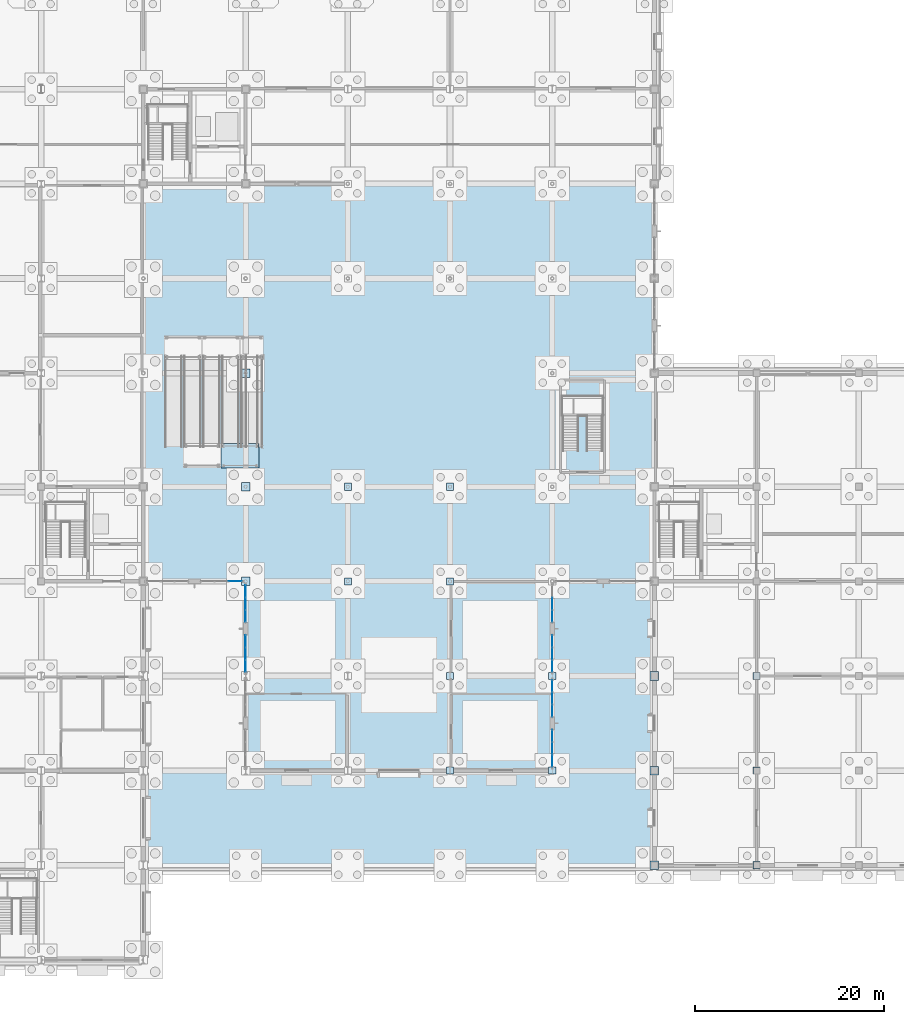
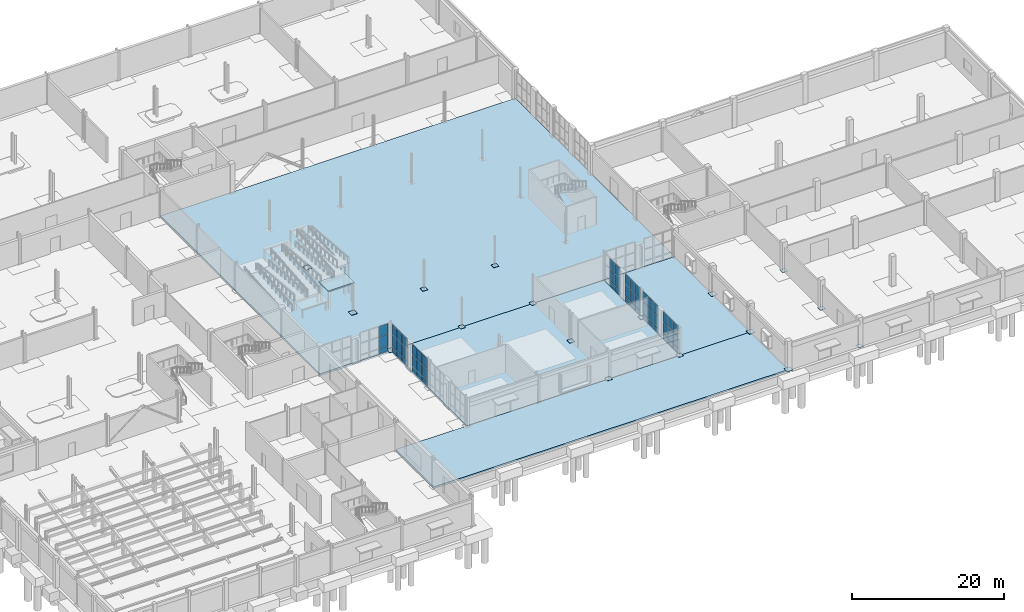
# One storey, part 41 of 73: 71 plates, 5 slabs, 8 elements without a shape of their own.
"""IFC4 building model written with IfcOpenShell, lengths in metres."""

from ifc_helpers import new_model, si_unit, direction, frame, origin, origin_2d, place, context, subcontext, project, spatial, polyline, rectangle, outline, extrude, material, layer, layer_set, type_object, element, aggregate, save


model = new_model("IFC4")

# Units and contexts
model_context = context("Model", 3, precision=1e-05, world=origin(), true_north=direction((0.0, 1.0)))
body_context = subcontext(model_context, "Body", "Model", "MODEL_VIEW")
ifc_project = project(units=[si_unit("LENGTHUNIT", "METRE"), si_unit("AREAUNIT", "SQUARE_METRE"), si_unit("VOLUMEUNIT", "CUBIC_METRE"), si_unit("PLANEANGLEUNIT", "RADIAN"), si_unit("MASSUNIT", "GRAM", prefix="KILO")], contexts=[model_context])

# Site, building, storey
site_placement = place(None, origin())
site = spatial("IfcSite", under=ifc_project, at=site_placement, CompositionType="ELEMENT")
building_placement = place(site_placement, origin())
building = spatial("IfcBuilding", under=site, at=building_placement, Name="Tasgan Crest Museum", CompositionType="ELEMENT")
storey_placement = place(building_placement, origin())
storey = spatial("IfcBuildingStorey", under=building, at=storey_placement, Name="L00", CompositionType="ELEMENT", Elevation=0.0)

# Curtain wall, plate
ifc_material_1 = material(Name="Triple-Glazed Aluminium Curtain Wall", Category="aluminium")
ifc_layer_1 = layer(ifc_material_1, 0.179931640625, Name="CW-DRUM-X-48")
ifc_layer_set_1 = layer_set([ifc_layer_1], Name="Triple-Glazed Aluminium Curtain Wall")
curtain_wall_type_1 = type_object("IfcCurtainWallType", Name="CW-DRUM-X-48", PredefinedType="NOTDEFINED", material=ifc_layer_set_1)
curtain_wall_1_placement = place(storey_placement, origin())
curtain_wall_1 = element("IfcCurtainWall", 1, at=curtain_wall_1_placement, inside=storey, type_object=curtain_wall_type_1, Name="Curtain wall L00 002", PredefinedType="NOTDEFINED")
ifc_material_2 = material(Name="Insulated Spandrel Glass", Category="glass")
ifc_layer_2 = layer(ifc_material_2, 0.052001953125, Name="CW-PANEL-SPANDREL")
ifc_layer_set_2 = layer_set([ifc_layer_2], Name="Insulated Spandrel Glass")
plate_type_1 = type_object("IfcPlateType", Name="CW-PANEL-SPANDREL", PredefinedType="CURTAIN_PANEL", material=ifc_layer_set_2)
plate_1_placement = place(storey_placement, frame((63.688232421875, 40.0, 0.06005859375), z_axis=(0.0, 0.0, 1.0), x_axis=(1.0, 0.0, 0.0)))
plate_1 = element("IfcPlate", 2, at=plate_1_placement, type_object=plate_type_1, Name="CW03 panel 3.1", PredefinedType="CURTAIN_PANEL", context=body_context, shape_type="SweptSolid", body=[
    extrude(rectangle(XDim=1.373291015625, YDim=0.028076171875, at=origin_2d()), origin(), (0.0, 0.0, 1.0), 0.81005859375),
])

# Curtain wall, plates
ifc_material_3 = material(Name="Triple-Glazed Aluminium Curtain Wall", Category="aluminium")
ifc_layer_3 = layer(ifc_material_3, 0.179931640625, Name="CW-PORCH-Y")
ifc_layer_set_3 = layer_set([ifc_layer_3], Name="Triple-Glazed Aluminium Curtain Wall")
curtain_wall_type_2 = type_object("IfcCurtainWallType", Name="CW-PORCH-Y", PredefinedType="NOTDEFINED", material=ifc_layer_set_3)
curtain_wall_2_placement = place(storey_placement, origin())
curtain_wall_2 = element("IfcCurtainWall", 3, at=curtain_wall_2_placement, inside=storey, type_object=curtain_wall_type_2, Name="Curtain wall L00 003", PredefinedType="NOTDEFINED")
plate_2_placement = place(storey_placement, frame((64.800048828125, 38.955078125, 0.06005859375), z_axis=(0.0, 0.0, 1.0), x_axis=(0.0, -1.0, 0.0)))
plate_2 = element("IfcPlate", 4, at=plate_2_placement, type_object=plate_type_1, Name="CW02 panel 1.1", PredefinedType="CURTAIN_PANEL", context=body_context, shape_type="SweptSolid", body=[
    extrude(rectangle(XDim=1.239990234375, YDim=0.028076171875, at=origin_2d()), origin(), (0.0, 0.0, 1.0), 0.81005859375),
])
plate_3_placement = place(storey_placement, frame((64.800048828125, 37.639892578125, 0.06005859375), z_axis=(0.0, 0.0, 1.0), x_axis=(0.0, -1.0, 0.0)))
plate_3 = element("IfcPlate", 5, at=plate_3_placement, type_object=plate_type_1, Name="CW02 panel 2.1", PredefinedType="CURTAIN_PANEL", context=body_context, shape_type="SweptSolid", body=[
    extrude(rectangle(XDim=1.27001953125, YDim=0.028076171875, at=origin_2d()), origin(), (0.0, 0.0, 1.0), 0.81005859375),
])
plate_4_placement = place(storey_placement, frame((64.800048828125, 36.324951171875, 0.06005859375), z_axis=(0.0, 0.0, 1.0), x_axis=(0.0, -1.0, 0.0)))
plate_4 = element("IfcPlate", 6, at=plate_4_placement, type_object=plate_type_1, Name="CW02 panel 3.1", PredefinedType="CURTAIN_PANEL", context=body_context, shape_type="SweptSolid", body=[
    extrude(rectangle(XDim=1.239990234375, YDim=0.028076171875, at=origin_2d()), origin(), (0.0, 0.0, 1.0), 0.81005859375),
])

curtain_wall_3_placement = place(storey_placement, origin())
curtain_wall_3 = element("IfcCurtainWall", 7, at=curtain_wall_3_placement, inside=storey, type_object=curtain_wall_type_2, Name="Curtain wall L00 004", PredefinedType="NOTDEFINED")
plate_5_placement = place(storey_placement, frame((64.800048828125, 33.675048828125, 0.06005859375), z_axis=(0.0, 0.0, 1.0), x_axis=(0.0, -1.0, 0.0)))
plate_5 = element("IfcPlate", 8, at=plate_5_placement, type_object=plate_type_1, Name="CW02 panel 1.1", PredefinedType="CURTAIN_PANEL", context=body_context, shape_type="SweptSolid", body=[
    extrude(rectangle(XDim=1.239990234375, YDim=0.028076171875, at=origin_2d()), origin(), (0.0, 0.0, 1.0), 0.81005859375),
])
plate_6_placement = place(storey_placement, frame((64.800048828125, 32.360107421875, 0.06005859375), z_axis=(0.0, 0.0, 1.0), x_axis=(0.0, -1.0, 0.0)))
plate_6 = element("IfcPlate", 9, at=plate_6_placement, type_object=plate_type_1, Name="CW02 panel 2.1", PredefinedType="CURTAIN_PANEL", context=body_context, shape_type="SweptSolid", body=[
    extrude(rectangle(XDim=1.27001953125, YDim=0.028076171875, at=origin_2d()), origin(), (0.0, 0.0, 1.0), 0.81005859375),
])
plate_7_placement = place(storey_placement, frame((64.800048828125, 31.044921875, 0.06005859375), z_axis=(0.0, 0.0, 1.0), x_axis=(0.0, -1.0, 0.0)))
plate_7 = element("IfcPlate", 10, at=plate_7_placement, type_object=plate_type_1, Name="CW02 panel 3.1", PredefinedType="CURTAIN_PANEL", context=body_context, shape_type="SweptSolid", body=[
    extrude(rectangle(XDim=1.239990234375, YDim=0.028076171875, at=origin_2d()), origin(), (0.0, 0.0, 1.0), 0.81005859375),
])

curtain_wall_4_placement = place(storey_placement, origin())
curtain_wall_4 = element("IfcCurtainWall", 11, at=curtain_wall_4_placement, inside=storey, type_object=curtain_wall_type_2, Name="Curtain wall L00 007", PredefinedType="NOTDEFINED")
plate_8_placement = place(storey_placement, frame((97.199951171875, 21.044921875, 0.06005859375), z_axis=(0.0, 0.0, 1.0), x_axis=(0.0, 1.0, 0.0)))
plate_8 = element("IfcPlate", 12, at=plate_8_placement, type_object=plate_type_1, Name="CW02 panel 1.1", PredefinedType="CURTAIN_PANEL", context=body_context, shape_type="SweptSolid", body=[
    extrude(rectangle(XDim=1.239990234375, YDim=0.028076171875, at=origin_2d()), origin(), (0.0, 0.0, 1.0), 0.81005859375),
])
plate_9_placement = place(storey_placement, frame((97.199951171875, 22.360107421875, 0.06005859375), z_axis=(0.0, 0.0, 1.0), x_axis=(0.0, 1.0, 0.0)))
plate_9 = element("IfcPlate", 13, at=plate_9_placement, type_object=plate_type_1, Name="CW02 panel 2.1", PredefinedType="CURTAIN_PANEL", context=body_context, shape_type="SweptSolid", body=[
    extrude(rectangle(XDim=1.27001953125, YDim=0.028076171875, at=origin_2d()), origin(), (0.0, 0.0, 1.0), 0.81005859375),
])
plate_10_placement = place(storey_placement, frame((97.199951171875, 23.675048828125, 0.06005859375), z_axis=(0.0, 0.0, 1.0), x_axis=(0.0, 1.0, 0.0)))
plate_10 = element("IfcPlate", 14, at=plate_10_placement, type_object=plate_type_1, Name="CW02 panel 3.1", PredefinedType="CURTAIN_PANEL", context=body_context, shape_type="SweptSolid", body=[
    extrude(rectangle(XDim=1.239990234375, YDim=0.028076171875, at=origin_2d()), origin(), (0.0, 0.0, 1.0), 0.81005859375),
])

curtain_wall_5_placement = place(storey_placement, origin())
curtain_wall_5 = element("IfcCurtainWall", 15, at=curtain_wall_5_placement, inside=storey, type_object=curtain_wall_type_2, Name="Curtain wall L00 008", PredefinedType="NOTDEFINED")
plate_11_placement = place(storey_placement, frame((97.199951171875, 26.324951171875, 0.06005859375), z_axis=(0.0, 0.0, 1.0), x_axis=(0.0, 1.0, 0.0)))
plate_11 = element("IfcPlate", 16, at=plate_11_placement, type_object=plate_type_1, Name="CW02 panel 1.1", PredefinedType="CURTAIN_PANEL", context=body_context, shape_type="SweptSolid", body=[
    extrude(rectangle(XDim=1.239990234375, YDim=0.028076171875, at=origin_2d()), origin(), (0.0, 0.0, 1.0), 0.81005859375),
])
plate_12_placement = place(storey_placement, frame((97.199951171875, 27.639892578125, 0.06005859375), z_axis=(0.0, 0.0, 1.0), x_axis=(0.0, 1.0, 0.0)))
plate_12 = element("IfcPlate", 17, at=plate_12_placement, type_object=plate_type_1, Name="CW02 panel 2.1", PredefinedType="CURTAIN_PANEL", context=body_context, shape_type="SweptSolid", body=[
    extrude(rectangle(XDim=1.27001953125, YDim=0.028076171875, at=origin_2d()), origin(), (0.0, 0.0, 1.0), 0.81005859375),
])
plate_13_placement = place(storey_placement, frame((97.199951171875, 28.955078125, 0.06005859375), z_axis=(0.0, 0.0, 1.0), x_axis=(0.0, 1.0, 0.0)))
plate_13 = element("IfcPlate", 18, at=plate_13_placement, type_object=plate_type_1, Name="CW02 panel 3.1", PredefinedType="CURTAIN_PANEL", context=body_context, shape_type="SweptSolid", body=[
    extrude(rectangle(XDim=1.239990234375, YDim=0.028076171875, at=origin_2d()), origin(), (0.0, 0.0, 1.0), 0.81005859375),
])

curtain_wall_6_placement = place(storey_placement, origin())
curtain_wall_6 = element("IfcCurtainWall", 19, at=curtain_wall_6_placement, inside=storey, type_object=curtain_wall_type_2, Name="Curtain wall L00 009", PredefinedType="NOTDEFINED")
plate_14_placement = place(storey_placement, frame((97.199951171875, 31.044921875, 0.06005859375), z_axis=(0.0, 0.0, 1.0), x_axis=(0.0, 1.0, 0.0)))
plate_14 = element("IfcPlate", 20, at=plate_14_placement, type_object=plate_type_1, Name="CW02 panel 1.1", PredefinedType="CURTAIN_PANEL", context=body_context, shape_type="SweptSolid", body=[
    extrude(rectangle(XDim=1.239990234375, YDim=0.028076171875, at=origin_2d()), origin(), (0.0, 0.0, 1.0), 0.81005859375),
])
plate_15_placement = place(storey_placement, frame((97.199951171875, 32.360107421875, 0.06005859375), z_axis=(0.0, 0.0, 1.0), x_axis=(0.0, 1.0, 0.0)))
plate_15 = element("IfcPlate", 21, at=plate_15_placement, type_object=plate_type_1, Name="CW02 panel 2.1", PredefinedType="CURTAIN_PANEL", context=body_context, shape_type="SweptSolid", body=[
    extrude(rectangle(XDim=1.27001953125, YDim=0.028076171875, at=origin_2d()), origin(), (0.0, 0.0, 1.0), 0.81005859375),
])
plate_16_placement = place(storey_placement, frame((97.199951171875, 33.675048828125, 0.06005859375), z_axis=(0.0, 0.0, 1.0), x_axis=(0.0, 1.0, 0.0)))
plate_16 = element("IfcPlate", 22, at=plate_16_placement, type_object=plate_type_1, Name="CW02 panel 3.1", PredefinedType="CURTAIN_PANEL", context=body_context, shape_type="SweptSolid", body=[
    extrude(rectangle(XDim=1.239990234375, YDim=0.028076171875, at=origin_2d()), origin(), (0.0, 0.0, 1.0), 0.81005859375),
])

curtain_wall_7_placement = place(storey_placement, origin())
curtain_wall_7 = element("IfcCurtainWall", 23, at=curtain_wall_7_placement, inside=storey, type_object=curtain_wall_type_2, Name="Curtain wall L00 010", PredefinedType="NOTDEFINED")
plate_17_placement = place(storey_placement, frame((97.199951171875, 36.324951171875, 0.06005859375), z_axis=(0.0, 0.0, 1.0), x_axis=(0.0, 1.0, 0.0)))
plate_17 = element("IfcPlate", 24, at=plate_17_placement, type_object=plate_type_1, Name="CW02 panel 1.1", PredefinedType="CURTAIN_PANEL", context=body_context, shape_type="SweptSolid", body=[
    extrude(rectangle(XDim=1.239990234375, YDim=0.028076171875, at=origin_2d()), origin(), (0.0, 0.0, 1.0), 0.81005859375),
])
plate_18_placement = place(storey_placement, frame((97.199951171875, 37.639892578125, 0.06005859375), z_axis=(0.0, 0.0, 1.0), x_axis=(0.0, 1.0, 0.0)))
plate_18 = element("IfcPlate", 25, at=plate_18_placement, type_object=plate_type_1, Name="CW02 panel 2.1", PredefinedType="CURTAIN_PANEL", context=body_context, shape_type="SweptSolid", body=[
    extrude(rectangle(XDim=1.27001953125, YDim=0.028076171875, at=origin_2d()), origin(), (0.0, 0.0, 1.0), 0.81005859375),
])

# Plate
ifc_material_4 = material(Name="Low-E Triple Glazing", Category="glass")
ifc_layer_4 = layer(ifc_material_4, 0.0439453125, Name="CW-PANEL-TRIPLE")
ifc_layer_set_4 = layer_set([ifc_layer_4], Name="Low-E Triple Glazing")
plate_type_2 = type_object("IfcPlateType", Name="CW-PANEL-TRIPLE", PredefinedType="CURTAIN_PANEL", material=ifc_layer_set_4)
plate_19_placement = place(storey_placement, frame((63.688232421875, 40.0, 0.93017578125), z_axis=(0.0, 0.0, 1.0), x_axis=(1.0, 0.0, 0.0)))
plate_19 = element("IfcPlate", 26, at=plate_19_placement, type_object=plate_type_2, Name="CW03 panel 3.2", PredefinedType="CURTAIN_PANEL", context=body_context, shape_type="SweptSolid", body=[
    extrude(rectangle(XDim=1.373291015625, YDim=0.028076171875, at=origin_2d()), origin(), (0.0, 0.0, 1.0), 1.840087890625),
])

plate_20_placement = place(storey_placement, frame((63.688232421875, 40.0, 2.830078125), z_axis=(0.0, 0.0, 1.0), x_axis=(1.0, 0.0, 0.0)))
plate_20 = element("IfcPlate", 27, at=plate_20_placement, type_object=plate_type_2, Name="CW03 panel 3.3", PredefinedType="CURTAIN_PANEL", context=body_context, shape_type="SweptSolid", body=[
    extrude(rectangle(XDim=1.373291015625, YDim=0.028076171875, at=origin_2d()), origin(), (0.0, 0.0, 1.0), 1.669921875),
])

aggregate(curtain_wall_1, [plate_1, plate_19, plate_20])

plate_21_placement = place(storey_placement, frame((64.800048828125, 38.955078125, 0.93017578125), z_axis=(0.0, 0.0, 1.0), x_axis=(0.0, -1.0, 0.0)))
plate_21 = element("IfcPlate", 28, at=plate_21_placement, type_object=plate_type_2, Name="CW02 panel 1.2", PredefinedType="CURTAIN_PANEL", context=body_context, shape_type="SweptSolid", body=[
    extrude(rectangle(XDim=1.239990234375, YDim=0.028076171875, at=origin_2d()), origin(), (0.0, 0.0, 1.0), 1.840087890625),
])

plate_22_placement = place(storey_placement, frame((64.800048828125, 38.955078125, 2.830078125), z_axis=(0.0, 0.0, 1.0), x_axis=(0.0, -1.0, 0.0)))
plate_22 = element("IfcPlate", 29, at=plate_22_placement, type_object=plate_type_2, Name="CW02 panel 1.3", PredefinedType="CURTAIN_PANEL", context=body_context, shape_type="SweptSolid", body=[
    extrude(rectangle(XDim=1.239990234375, YDim=0.028076171875, at=origin_2d()), origin(), (0.0, 0.0, 1.0), 1.669921875),
])

plate_23_placement = place(storey_placement, frame((64.800048828125, 37.639892578125, 0.93017578125), z_axis=(0.0, 0.0, 1.0), x_axis=(0.0, -1.0, 0.0)))
plate_23 = element("IfcPlate", 30, at=plate_23_placement, type_object=plate_type_2, Name="CW02 panel 2.2", PredefinedType="CURTAIN_PANEL", context=body_context, shape_type="SweptSolid", body=[
    extrude(rectangle(XDim=1.27001953125, YDim=0.028076171875, at=origin_2d()), origin(), (0.0, 0.0, 1.0), 1.840087890625),
])

plate_24_placement = place(storey_placement, frame((64.800048828125, 37.639892578125, 2.830078125), z_axis=(0.0, 0.0, 1.0), x_axis=(0.0, -1.0, 0.0)))
plate_24 = element("IfcPlate", 31, at=plate_24_placement, type_object=plate_type_2, Name="CW02 panel 2.3", PredefinedType="CURTAIN_PANEL", context=body_context, shape_type="SweptSolid", body=[
    extrude(rectangle(XDim=1.27001953125, YDim=0.028076171875, at=origin_2d()), origin(), (0.0, 0.0, 1.0), 1.669921875),
])

plate_25_placement = place(storey_placement, frame((64.800048828125, 36.324951171875, 0.93017578125), z_axis=(0.0, 0.0, 1.0), x_axis=(0.0, -1.0, 0.0)))
plate_25 = element("IfcPlate", 32, at=plate_25_placement, type_object=plate_type_2, Name="CW02 panel 3.2", PredefinedType="CURTAIN_PANEL", context=body_context, shape_type="SweptSolid", body=[
    extrude(rectangle(XDim=1.239990234375, YDim=0.028076171875, at=origin_2d()), origin(), (0.0, 0.0, 1.0), 1.840087890625),
])

plate_26_placement = place(storey_placement, frame((64.800048828125, 36.324951171875, 2.830078125), z_axis=(0.0, 0.0, 1.0), x_axis=(0.0, -1.0, 0.0)))
plate_26 = element("IfcPlate", 33, at=plate_26_placement, type_object=plate_type_2, Name="CW02 panel 3.3", PredefinedType="CURTAIN_PANEL", context=body_context, shape_type="SweptSolid", body=[
    extrude(rectangle(XDim=1.239990234375, YDim=0.028076171875, at=origin_2d()), origin(), (0.0, 0.0, 1.0), 1.669921875),
])

aggregate(curtain_wall_2, [plate_2, plate_21, plate_22, plate_3, plate_23, plate_24, plate_4, plate_25, plate_26])

plate_27_placement = place(storey_placement, frame((64.800048828125, 33.675048828125, 0.93017578125), z_axis=(0.0, 0.0, 1.0), x_axis=(0.0, -1.0, 0.0)))
plate_27 = element("IfcPlate", 34, at=plate_27_placement, type_object=plate_type_2, Name="CW02 panel 1.2", PredefinedType="CURTAIN_PANEL", context=body_context, shape_type="SweptSolid", body=[
    extrude(rectangle(XDim=1.239990234375, YDim=0.028076171875, at=origin_2d()), origin(), (0.0, 0.0, 1.0), 1.840087890625),
])

plate_28_placement = place(storey_placement, frame((64.800048828125, 33.675048828125, 2.830078125), z_axis=(0.0, 0.0, 1.0), x_axis=(0.0, -1.0, 0.0)))
plate_28 = element("IfcPlate", 35, at=plate_28_placement, type_object=plate_type_2, Name="CW02 panel 1.3", PredefinedType="CURTAIN_PANEL", context=body_context, shape_type="SweptSolid", body=[
    extrude(rectangle(XDim=1.239990234375, YDim=0.028076171875, at=origin_2d()), origin(), (0.0, 0.0, 1.0), 1.669921875),
])

plate_29_placement = place(storey_placement, frame((64.800048828125, 32.360107421875, 0.93017578125), z_axis=(0.0, 0.0, 1.0), x_axis=(0.0, -1.0, 0.0)))
plate_29 = element("IfcPlate", 36, at=plate_29_placement, type_object=plate_type_2, Name="CW02 panel 2.2", PredefinedType="CURTAIN_PANEL", context=body_context, shape_type="SweptSolid", body=[
    extrude(rectangle(XDim=1.27001953125, YDim=0.028076171875, at=origin_2d()), origin(), (0.0, 0.0, 1.0), 1.840087890625),
])

plate_30_placement = place(storey_placement, frame((64.800048828125, 32.360107421875, 2.830078125), z_axis=(0.0, 0.0, 1.0), x_axis=(0.0, -1.0, 0.0)))
plate_30 = element("IfcPlate", 37, at=plate_30_placement, type_object=plate_type_2, Name="CW02 panel 2.3", PredefinedType="CURTAIN_PANEL", context=body_context, shape_type="SweptSolid", body=[
    extrude(rectangle(XDim=1.27001953125, YDim=0.028076171875, at=origin_2d()), origin(), (0.0, 0.0, 1.0), 1.669921875),
])

plate_31_placement = place(storey_placement, frame((64.800048828125, 31.044921875, 0.93017578125), z_axis=(0.0, 0.0, 1.0), x_axis=(0.0, -1.0, 0.0)))
plate_31 = element("IfcPlate", 38, at=plate_31_placement, type_object=plate_type_2, Name="CW02 panel 3.2", PredefinedType="CURTAIN_PANEL", context=body_context, shape_type="SweptSolid", body=[
    extrude(rectangle(XDim=1.239990234375, YDim=0.028076171875, at=origin_2d()), origin(), (0.0, 0.0, 1.0), 1.840087890625),
])

plate_32_placement = place(storey_placement, frame((64.800048828125, 31.044921875, 2.830078125), z_axis=(0.0, 0.0, 1.0), x_axis=(0.0, -1.0, 0.0)))
plate_32 = element("IfcPlate", 39, at=plate_32_placement, type_object=plate_type_2, Name="CW02 panel 3.3", PredefinedType="CURTAIN_PANEL", context=body_context, shape_type="SweptSolid", body=[
    extrude(rectangle(XDim=1.239990234375, YDim=0.028076171875, at=origin_2d()), origin(), (0.0, 0.0, 1.0), 1.669921875),
])

aggregate(curtain_wall_3, [plate_5, plate_27, plate_28, plate_6, plate_29, plate_30, plate_7, plate_31, plate_32])

plate_33_placement = place(storey_placement, frame((97.199951171875, 21.044921875, 0.93017578125), z_axis=(0.0, 0.0, 1.0), x_axis=(0.0, 1.0, 0.0)))
plate_33 = element("IfcPlate", 40, at=plate_33_placement, type_object=plate_type_2, Name="CW02 panel 1.2", PredefinedType="CURTAIN_PANEL", context=body_context, shape_type="SweptSolid", body=[
    extrude(rectangle(XDim=1.239990234375, YDim=0.028076171875, at=origin_2d()), origin(), (0.0, 0.0, 1.0), 1.840087890625),
])

plate_34_placement = place(storey_placement, frame((97.199951171875, 21.044921875, 2.830078125), z_axis=(0.0, 0.0, 1.0), x_axis=(0.0, 1.0, 0.0)))
plate_34 = element("IfcPlate", 41, at=plate_34_placement, type_object=plate_type_2, Name="CW02 panel 1.3", PredefinedType="CURTAIN_PANEL", context=body_context, shape_type="SweptSolid", body=[
    extrude(rectangle(XDim=1.239990234375, YDim=0.028076171875, at=origin_2d()), origin(), (0.0, 0.0, 1.0), 1.669921875),
])

plate_35_placement = place(storey_placement, frame((97.199951171875, 22.360107421875, 0.93017578125), z_axis=(0.0, 0.0, 1.0), x_axis=(0.0, 1.0, 0.0)))
plate_35 = element("IfcPlate", 42, at=plate_35_placement, type_object=plate_type_2, Name="CW02 panel 2.2", PredefinedType="CURTAIN_PANEL", context=body_context, shape_type="SweptSolid", body=[
    extrude(rectangle(XDim=1.27001953125, YDim=0.028076171875, at=origin_2d()), origin(), (0.0, 0.0, 1.0), 1.840087890625),
])

plate_36_placement = place(storey_placement, frame((97.199951171875, 22.360107421875, 2.830078125), z_axis=(0.0, 0.0, 1.0), x_axis=(0.0, 1.0, 0.0)))
plate_36 = element("IfcPlate", 43, at=plate_36_placement, type_object=plate_type_2, Name="CW02 panel 2.3", PredefinedType="CURTAIN_PANEL", context=body_context, shape_type="SweptSolid", body=[
    extrude(rectangle(XDim=1.27001953125, YDim=0.028076171875, at=origin_2d()), origin(), (0.0, 0.0, 1.0), 1.669921875),
])

plate_37_placement = place(storey_placement, frame((97.199951171875, 23.675048828125, 0.93017578125), z_axis=(0.0, 0.0, 1.0), x_axis=(0.0, 1.0, 0.0)))
plate_37 = element("IfcPlate", 44, at=plate_37_placement, type_object=plate_type_2, Name="CW02 panel 3.2", PredefinedType="CURTAIN_PANEL", context=body_context, shape_type="SweptSolid", body=[
    extrude(rectangle(XDim=1.239990234375, YDim=0.028076171875, at=origin_2d()), origin(), (0.0, 0.0, 1.0), 1.840087890625),
])

plate_38_placement = place(storey_placement, frame((97.199951171875, 23.675048828125, 2.830078125), z_axis=(0.0, 0.0, 1.0), x_axis=(0.0, 1.0, 0.0)))
plate_38 = element("IfcPlate", 45, at=plate_38_placement, type_object=plate_type_2, Name="CW02 panel 3.3", PredefinedType="CURTAIN_PANEL", context=body_context, shape_type="SweptSolid", body=[
    extrude(rectangle(XDim=1.239990234375, YDim=0.028076171875, at=origin_2d()), origin(), (0.0, 0.0, 1.0), 1.669921875),
])

aggregate(curtain_wall_4, [plate_8, plate_33, plate_34, plate_9, plate_35, plate_36, plate_10, plate_37, plate_38])

plate_39_placement = place(storey_placement, frame((97.199951171875, 26.324951171875, 0.93017578125), z_axis=(0.0, 0.0, 1.0), x_axis=(0.0, 1.0, 0.0)))
plate_39 = element("IfcPlate", 46, at=plate_39_placement, type_object=plate_type_2, Name="CW02 panel 1.2", PredefinedType="CURTAIN_PANEL", context=body_context, shape_type="SweptSolid", body=[
    extrude(rectangle(XDim=1.239990234375, YDim=0.028076171875, at=origin_2d()), origin(), (0.0, 0.0, 1.0), 1.840087890625),
])

plate_40_placement = place(storey_placement, frame((97.199951171875, 26.324951171875, 2.830078125), z_axis=(0.0, 0.0, 1.0), x_axis=(0.0, 1.0, 0.0)))
plate_40 = element("IfcPlate", 47, at=plate_40_placement, type_object=plate_type_2, Name="CW02 panel 1.3", PredefinedType="CURTAIN_PANEL", context=body_context, shape_type="SweptSolid", body=[
    extrude(rectangle(XDim=1.239990234375, YDim=0.028076171875, at=origin_2d()), origin(), (0.0, 0.0, 1.0), 1.669921875),
])

plate_41_placement = place(storey_placement, frame((97.199951171875, 27.639892578125, 0.93017578125), z_axis=(0.0, 0.0, 1.0), x_axis=(0.0, 1.0, 0.0)))
plate_41 = element("IfcPlate", 48, at=plate_41_placement, type_object=plate_type_2, Name="CW02 panel 2.2", PredefinedType="CURTAIN_PANEL", context=body_context, shape_type="SweptSolid", body=[
    extrude(rectangle(XDim=1.27001953125, YDim=0.028076171875, at=origin_2d()), origin(), (0.0, 0.0, 1.0), 1.840087890625),
])

plate_42_placement = place(storey_placement, frame((97.199951171875, 27.639892578125, 2.830078125), z_axis=(0.0, 0.0, 1.0), x_axis=(0.0, 1.0, 0.0)))
plate_42 = element("IfcPlate", 49, at=plate_42_placement, type_object=plate_type_2, Name="CW02 panel 2.3", PredefinedType="CURTAIN_PANEL", context=body_context, shape_type="SweptSolid", body=[
    extrude(rectangle(XDim=1.27001953125, YDim=0.028076171875, at=origin_2d()), origin(), (0.0, 0.0, 1.0), 1.669921875),
])

plate_43_placement = place(storey_placement, frame((97.199951171875, 28.955078125, 0.93017578125), z_axis=(0.0, 0.0, 1.0), x_axis=(0.0, 1.0, 0.0)))
plate_43 = element("IfcPlate", 50, at=plate_43_placement, type_object=plate_type_2, Name="CW02 panel 3.2", PredefinedType="CURTAIN_PANEL", context=body_context, shape_type="SweptSolid", body=[
    extrude(rectangle(XDim=1.239990234375, YDim=0.028076171875, at=origin_2d()), origin(), (0.0, 0.0, 1.0), 1.840087890625),
])

plate_44_placement = place(storey_placement, frame((97.199951171875, 28.955078125, 2.830078125), z_axis=(0.0, 0.0, 1.0), x_axis=(0.0, 1.0, 0.0)))
plate_44 = element("IfcPlate", 51, at=plate_44_placement, type_object=plate_type_2, Name="CW02 panel 3.3", PredefinedType="CURTAIN_PANEL", context=body_context, shape_type="SweptSolid", body=[
    extrude(rectangle(XDim=1.239990234375, YDim=0.028076171875, at=origin_2d()), origin(), (0.0, 0.0, 1.0), 1.669921875),
])

aggregate(curtain_wall_5, [plate_11, plate_39, plate_40, plate_12, plate_41, plate_42, plate_13, plate_43, plate_44])

plate_45_placement = place(storey_placement, frame((97.199951171875, 31.044921875, 0.93017578125), z_axis=(0.0, 0.0, 1.0), x_axis=(0.0, 1.0, 0.0)))
plate_45 = element("IfcPlate", 52, at=plate_45_placement, type_object=plate_type_2, Name="CW02 panel 1.2", PredefinedType="CURTAIN_PANEL", context=body_context, shape_type="SweptSolid", body=[
    extrude(rectangle(XDim=1.239990234375, YDim=0.028076171875, at=origin_2d()), origin(), (0.0, 0.0, 1.0), 1.840087890625),
])

plate_46_placement = place(storey_placement, frame((97.199951171875, 31.044921875, 2.830078125), z_axis=(0.0, 0.0, 1.0), x_axis=(0.0, 1.0, 0.0)))
plate_46 = element("IfcPlate", 53, at=plate_46_placement, type_object=plate_type_2, Name="CW02 panel 1.3", PredefinedType="CURTAIN_PANEL", context=body_context, shape_type="SweptSolid", body=[
    extrude(rectangle(XDim=1.239990234375, YDim=0.028076171875, at=origin_2d()), origin(), (0.0, 0.0, 1.0), 1.669921875),
])

plate_47_placement = place(storey_placement, frame((97.199951171875, 32.360107421875, 0.93017578125), z_axis=(0.0, 0.0, 1.0), x_axis=(0.0, 1.0, 0.0)))
plate_47 = element("IfcPlate", 54, at=plate_47_placement, type_object=plate_type_2, Name="CW02 panel 2.2", PredefinedType="CURTAIN_PANEL", context=body_context, shape_type="SweptSolid", body=[
    extrude(rectangle(XDim=1.27001953125, YDim=0.028076171875, at=origin_2d()), origin(), (0.0, 0.0, 1.0), 1.840087890625),
])

plate_48_placement = place(storey_placement, frame((97.199951171875, 32.360107421875, 2.830078125), z_axis=(0.0, 0.0, 1.0), x_axis=(0.0, 1.0, 0.0)))
plate_48 = element("IfcPlate", 55, at=plate_48_placement, type_object=plate_type_2, Name="CW02 panel 2.3", PredefinedType="CURTAIN_PANEL", context=body_context, shape_type="SweptSolid", body=[
    extrude(rectangle(XDim=1.27001953125, YDim=0.028076171875, at=origin_2d()), origin(), (0.0, 0.0, 1.0), 1.669921875),
])

plate_49_placement = place(storey_placement, frame((97.199951171875, 33.675048828125, 0.93017578125), z_axis=(0.0, 0.0, 1.0), x_axis=(0.0, 1.0, 0.0)))
plate_49 = element("IfcPlate", 56, at=plate_49_placement, type_object=plate_type_2, Name="CW02 panel 3.2", PredefinedType="CURTAIN_PANEL", context=body_context, shape_type="SweptSolid", body=[
    extrude(rectangle(XDim=1.239990234375, YDim=0.028076171875, at=origin_2d()), origin(), (0.0, 0.0, 1.0), 1.840087890625),
])

plate_50_placement = place(storey_placement, frame((97.199951171875, 33.675048828125, 2.830078125), z_axis=(0.0, 0.0, 1.0), x_axis=(0.0, 1.0, 0.0)))
plate_50 = element("IfcPlate", 57, at=plate_50_placement, type_object=plate_type_2, Name="CW02 panel 3.3", PredefinedType="CURTAIN_PANEL", context=body_context, shape_type="SweptSolid", body=[
    extrude(rectangle(XDim=1.239990234375, YDim=0.028076171875, at=origin_2d()), origin(), (0.0, 0.0, 1.0), 1.669921875),
])

aggregate(curtain_wall_6, [plate_14, plate_45, plate_46, plate_15, plate_47, plate_48, plate_16, plate_49, plate_50])

plate_51_placement = place(storey_placement, frame((97.199951171875, 36.324951171875, 0.93017578125), z_axis=(0.0, 0.0, 1.0), x_axis=(0.0, 1.0, 0.0)))
plate_51 = element("IfcPlate", 58, at=plate_51_placement, type_object=plate_type_2, Name="CW02 panel 1.2", PredefinedType="CURTAIN_PANEL", context=body_context, shape_type="SweptSolid", body=[
    extrude(rectangle(XDim=1.239990234375, YDim=0.028076171875, at=origin_2d()), origin(), (0.0, 0.0, 1.0), 1.840087890625),
])

plate_52_placement = place(storey_placement, frame((97.199951171875, 36.324951171875, 2.830078125), z_axis=(0.0, 0.0, 1.0), x_axis=(0.0, 1.0, 0.0)))
plate_52 = element("IfcPlate", 59, at=plate_52_placement, type_object=plate_type_2, Name="CW02 panel 1.3", PredefinedType="CURTAIN_PANEL", context=body_context, shape_type="SweptSolid", body=[
    extrude(rectangle(XDim=1.239990234375, YDim=0.028076171875, at=origin_2d()), origin(), (0.0, 0.0, 1.0), 1.669921875),
])

plate_53_placement = place(storey_placement, frame((97.199951171875, 37.639892578125, 0.93017578125), z_axis=(0.0, 0.0, 1.0), x_axis=(0.0, 1.0, 0.0)))
plate_53 = element("IfcPlate", 60, at=plate_53_placement, type_object=plate_type_2, Name="CW02 panel 2.2", PredefinedType="CURTAIN_PANEL", context=body_context, shape_type="SweptSolid", body=[
    extrude(rectangle(XDim=1.27001953125, YDim=0.028076171875, at=origin_2d()), origin(), (0.0, 0.0, 1.0), 1.840087890625),
])

plate_54_placement = place(storey_placement, frame((97.199951171875, 37.639892578125, 2.830078125), z_axis=(0.0, 0.0, 1.0), x_axis=(0.0, 1.0, 0.0)))
plate_54 = element("IfcPlate", 61, at=plate_54_placement, type_object=plate_type_2, Name="CW02 panel 2.3", PredefinedType="CURTAIN_PANEL", context=body_context, shape_type="SweptSolid", body=[
    extrude(rectangle(XDim=1.27001953125, YDim=0.028076171875, at=origin_2d()), origin(), (0.0, 0.0, 1.0), 1.669921875),
])

aggregate(curtain_wall_7, [plate_17, plate_51, plate_52, plate_18, plate_53, plate_54])

# Plates
ifc_material_5 = material(Name="Steel S355K2", Category="steel")
ifc_layer_5 = layer(ifc_material_5, 0.75, Name="PL-BASE-750")
ifc_layer_set_5 = layer_set([ifc_layer_5], Name="Steel S355K2")
plate_type_3 = type_object("IfcPlateType", Name="PL-BASE-750", PredefinedType="USERDEFINED", material=ifc_layer_set_5)
for number, where, z_axis, x_axis, name in (
    (62, (75.60009765625, 40.0, 0.0), (0.0, 0.0, 1.0), (1.0, 0.0, 0.0), "Base plate 8/E"),
    (63, (75.60009765625, 50.0, 0.0), (0.0, 0.0, 1.0), (1.0, 0.0, 0.0), "Base plate 8/F"),
    (64, (86.39990234375, 20.0, 0.0), (0.0, 0.0, 1.0), (1.0, 0.0, 0.0), "Base plate 9/C"),
    (65, (86.39990234375, 30.0, 0.0), (0.0, 0.0, 1.0), (1.0, 0.0, 0.0), "Base plate 9/D"),
    (66, (86.39990234375, 40.0, 0.0), (0.0, 0.0, 1.0), (1.0, 0.0, 0.0), "Base plate 9/E"),
    (67, (86.39990234375, 50.0, 0.0), (0.0, 0.0, 1.0), (1.0, 0.0, 0.0), "Base plate 9/F"),
    (68, (97.199951171875, 20.0, 0.0), (0.0, 0.0, 1.0), (1.0, 0.0, 0.0), "Base plate 10/C"),
    (69, (97.199951171875, 30.0, 0.0), (0.0, 0.0, 1.0), (1.0, 0.0, 0.0), "Base plate 10/D"),
    (70, (118.800048828125, 10.0, 0.0), (0.0, 0.0, 1.0), (1.0, 0.0, 0.0), "Base plate 12/B"),
    (71, (118.800048828125, 20.0, 0.0), (0.0, 0.0, 1.0), (1.0, 0.0, 0.0), "Base plate 12/C"),
    (72, (118.800048828125, 30.0, 0.0), (0.0, 0.0, 1.0), (1.0, 0.0, 0.0), "Base plate 12/D"),
):
    element("IfcPlate", number, at=place(storey_placement, frame(where, z_axis=z_axis, x_axis=x_axis)), inside=storey, type_object=plate_type_3, Name=name, ObjectType="BASE PLATE", PredefinedType="USERDEFINED", context=body_context, shape_type="SweptSolid", body=[
        extrude(rectangle(XDim=0.75, YDim=0.75, at=origin_2d()), origin(), (0.0, 0.0, 1.0), 0.031982421875),
    ])
ifc_material_6 = material(Name="Steel S355K2", Category="steel")
ifc_layer_6 = layer(ifc_material_6, 0.89990234375, Name="PL-BASE-900")
ifc_layer_set_6 = layer_set([ifc_layer_6], Name="Steel S355K2")
plate_type_4 = type_object("IfcPlateType", Name="PL-BASE-900", PredefinedType="USERDEFINED", material=ifc_layer_set_6)
for number, where, z_axis, x_axis, name in (
    (73, (64.800048828125, 40.0, 0.0), (0.0, 0.0, 1.0), (1.0, 0.0, 0.0), "Base plate 7/E"),
    (74, (64.800048828125, 50.0, 0.0), (0.0, 0.0, 1.0), (1.0, 0.0, 0.0), "Base plate 7/F"),
    (75, (64.800048828125, 62.0, 0.0), (0.0, 0.0, 1.0), (1.0, 0.0, 0.0), "Base plate 7/G"),
    (76, (108.0, 10.0, 0.0), (0.0, 0.0, 1.0), (1.0, 0.0, 0.0), "Base plate 11/B"),
    (77, (108.0, 20.0, 0.0), (0.0, 0.0, 1.0), (1.0, 0.0, 0.0), "Base plate 11/C"),
    (78, (108.0, 30.0, 0.0), (0.0, 0.0, 1.0), (1.0, 0.0, 0.0), "Base plate 11/D"),
):
    element("IfcPlate", number, at=place(storey_placement, frame(where, z_axis=z_axis, x_axis=x_axis)), inside=storey, type_object=plate_type_4, Name=name, ObjectType="BASE PLATE", PredefinedType="USERDEFINED", context=body_context, shape_type="SweptSolid", body=[
        extrude(rectangle(XDim=0.89990234375, YDim=0.89990234375, at=origin_2d()), origin(), (0.0, 0.0, 1.0), 0.035888671875),
    ])

# Slabs
ifc_material_7 = material(Name="Concrete C35/45", Category="concrete")
ifc_layer_7 = layer(ifc_material_7, 0.25, Name="SL-APRON-250")
ifc_layer_set_7 = layer_set([ifc_layer_7], Name="Concrete C35/45")
slab_type_1 = type_object("IfcSlabType", Name="SL-APRON-250", PredefinedType="BASESLAB", material=ifc_layer_set_7)
slab_1_placement = place(storey_placement, frame((0.0, 0.0, -0.300048828125)))
element("IfcSlab", 79, at=slab_1_placement, inside=storey, type_object=slab_type_1, Name="Exterior stone forecourt SOUTH-FORECOURT-MAIN", PredefinedType="BASESLAB", context=body_context, shape_type="SweptSolid", body=[
    extrude(outline(polyline([(54.0, 10.0), (108.0, 10.0), (108.0, 20.0), (54.0, 20.0), (54.0, 10.0)])), origin(), (0.0, 0.0, 1.0), 0.300048828125),
])
slab_2_placement = place(storey_placement, frame((0.0, 0.0, -0.300048828125)))
element("IfcSlab", 80, at=slab_2_placement, inside=storey, type_object=slab_type_1, Name="Exterior stone forecourt SOUTH-FORECOURT-E", PredefinedType="BASESLAB", context=body_context, shape_type="SweptSolid", body=[
    extrude(outline(polyline([(97.199951171875, 20.0), (108.0, 20.0), (108.0, 40.0), (97.199951171875, 40.0), (97.199951171875, 20.0)])), origin(), (0.0, 0.0, 1.0), 0.300048828125),
])
ifc_material_8 = material(Name="Concrete C35/45", Category="concrete")
ifc_layer_8 = layer(ifc_material_8, 0.300048828125, Name="SL-BASE-300")
ifc_layer_set_8 = layer_set([ifc_layer_8], Name="Concrete C35/45")
slab_type_2 = type_object("IfcSlabType", Name="SL-BASE-300", PredefinedType="BASESLAB", material=ifc_layer_set_8)
slab_3_placement = place(storey_placement, frame((0.0, 0.0, -0.300048828125)))
element("IfcSlab", 81, at=slab_3_placement, inside=storey, type_object=slab_type_2, Name="Floor slab L00 V2", PredefinedType="BASESLAB", context=body_context, shape_type="SweptSolid", body=[
    extrude(outline(polyline([(54.0, 40.0), (108.0, 40.0), (108.0, 82.0), (54.0, 82.0), (54.0, 40.0)])), origin(), (0.0, 0.0, 1.0), 0.300048828125),
])
slab_4_placement = place(storey_placement, frame((0.0, 0.0, -0.300048828125)))
element("IfcSlab", 82, at=slab_4_placement, inside=storey, type_object=slab_type_2, Name="Floor slab L00 V6", PredefinedType="BASESLAB", context=body_context, shape_type="SweptSolid", body=[
    extrude(outline(polyline([(64.800048828125, 20.0), (97.199951171875, 20.0), (97.199951171875, 40.0), (64.800048828125, 40.0), (64.800048828125, 20.0)])), origin(), (0.0, 0.0, 1.0), 0.300048828125),
])

# Ramp, slab
ifc_material_9 = material(Name="Concrete C35/45", Category="concrete")
ramp_type = type_object("IfcRampType", Name="RMP-ATRIUM-12", PredefinedType="HALF_TURN_RAMP", material=ifc_material_9)
ramp_placement = place(storey_placement, origin())
ramp = element("IfcRamp", 83, at=ramp_placement, inside=storey, type_object=ramp_type, Name="Winter-garden accessible switchback ramp", PredefinedType="HALF_TURN_RAMP")
ifc_material_10 = material(Name="Concrete C35/45", Category="concrete")
ifc_layer_9 = layer(ifc_material_10, 0.199951171875, Name="SL-LAND-200")
ifc_layer_set_9 = layer_set([ifc_layer_9], Name="Concrete C35/45")
slab_type_3 = type_object("IfcSlabType", Name="SL-LAND-200", PredefinedType="LANDING", material=ifc_layer_set_9)
slab_5_placement = place(storey_placement, frame((0.0, 0.0, 3.0)))
slab_5 = element("IfcSlab", 84, at=slab_5_placement, type_object=slab_type_3, Name="Winter-garden ramp landing 4", PredefinedType="LANDING", context=body_context, shape_type="SweptSolid", body=[
    extrude(outline(polyline([(62.199951171875, 52.0), (66.199951171875, 52.0), (66.199951171875, 54.550048828125), (62.199951171875, 54.550048828125), (62.199951171875, 52.0)])), origin(), (0.0, 0.0, 1.0), 0.199951171875),
])
aggregate(ramp, [slab_5])

save(model, "model.ifc")
